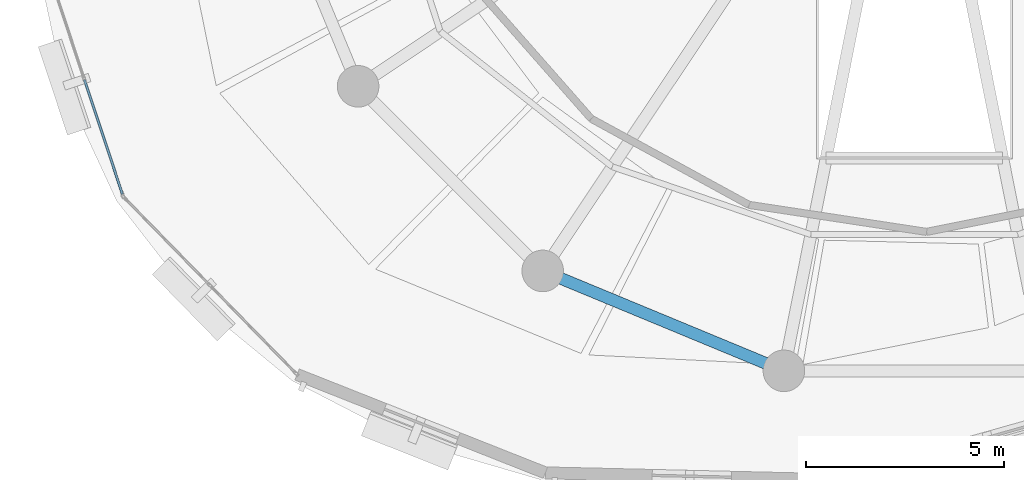
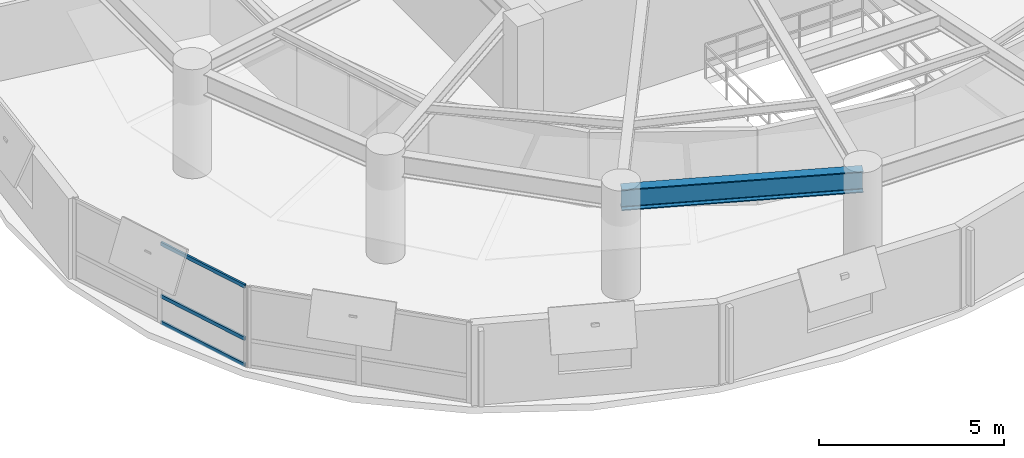
# One storey, part 3 of 15: 3 members, 1 beam, 1 element without a shape of its own.
"""IFC4 building model written with IfcOpenShell, lengths in metres."""

from ifc_helpers import new_model, si_unit, direction, frame, origin, origin_2d, place, context, subcontext, project, spatial, hollow_rectangle, i_section, extrude, material, layer, layer_set, material_profile, profile_set, type_object, element, aggregate, save


model = new_model("IFC4")

# Units and contexts
model_context = context("Model", 3, precision=1e-05, world=origin(), true_north=direction((0.0, 1.0)))
body_context = subcontext(model_context, "Body", "Model", "MODEL_VIEW")
ifc_project = project(units=[si_unit("LENGTHUNIT", "METRE"), si_unit("AREAUNIT", "SQUARE_METRE"), si_unit("VOLUMEUNIT", "CUBIC_METRE"), si_unit("PLANEANGLEUNIT", "RADIAN"), si_unit("MASSUNIT", "GRAM", prefix="KILO"), si_unit("THERMODYNAMICTEMPERATUREUNIT", "KELVIN"), si_unit("POWERUNIT", "WATT")], contexts=[model_context])

# Site, building, storey
site_placement = place(None, origin())
site = spatial("IfcSite", under=ifc_project, at=site_placement, CompositionType="ELEMENT")
building_placement = place(site_placement, origin())
building = spatial("IfcBuilding", under=site, at=building_placement, Name="Ocrelia Relay Tower", CompositionType="ELEMENT")
storey_placement = place(building_placement, frame((0.0, 0.0, 166.39990234375)))
storey = spatial("IfcBuildingStorey", under=building, at=storey_placement, Name="L39", CompositionType="ELEMENT", Elevation=166.39990234375)

# Beam
ifc_material_1 = material(Name="Steel S355", Category="steel")
ifc_material_profile_1 = material_profile(ifc_material_1, i_section(OverallWidth=0.300048828125, OverallDepth=0.699951171875, WebThickness=0.01708984375, FlangeThickness=0.031982421875, FilletRadius=0.027099609375, at=origin_2d()), Name="HEB 700")
ifc_profile_set_1 = profile_set([ifc_material_profile_1], Name="Steel S355")
beam_type = type_object("IfcBeamType", Name="BM-HEB700", PredefinedType="BEAM", material=ifc_profile_set_1)
beam_placement = place(storey_placement, frame((24.61083984375, 11.9482421875, 3.030029296875), z_axis=(0.923877844151, -0.382687508402, 0.0), x_axis=(0.382687508402, 0.923877844151, 0.0)))
element("IfcBeam", 1, at=beam_placement, inside=storey, type_object=beam_type, Name="L39 Perimeter Spandrel Beam S11", PredefinedType="BEAM", context=body_context, shape_type="SweptSolid", body=[
    extrude(i_section(OverallWidth=0.300048828125, OverallDepth=0.699951171875, WebThickness=0.01708984375, FlangeThickness=0.031982421875, FilletRadius=0.027099609375, at=origin_2d()), origin(), (0.0, 0.0, 1.0), 6.593994140625),
])

# Curtain wall, members
ifc_material_2 = material(Name="Aluminium and solar-control low-E glass", Category="aluminium")
ifc_layer = layer(ifc_material_2, 0.179931640625, Name="Aluminium and solar-control low-E glass")
ifc_layer_set = layer_set([ifc_layer], Name="Aluminium and solar-control low-E glass")
curtain_wall_type = type_object("IfcCurtainWallType", Name="CW-SYS-Z3-CLOU", PredefinedType="NOTDEFINED", material=ifc_layer_set)
curtain_wall_placement = place(storey_placement, origin())
curtain_wall = element("IfcCurtainWall", 2, at=curtain_wall_placement, inside=storey, type_object=curtain_wall_type, Name="L39 Elliptical Tower Curtain Wall Bay 09", PredefinedType="NOTDEFINED")
ifc_material_3 = material(Name="Anodised bronze aluminium", Category="aluminium")
ifc_material_profile_2 = material_profile(ifc_material_3, hollow_rectangle(XDim=0.06005859375, YDim=0.1201171875, WallThickness=0.0048828125, at=origin_2d()), Name="CW-TRN-120x60")
ifc_profile_set_2 = profile_set([ifc_material_profile_2], Name="Anodised bronze aluminium")
member_type = type_object("IfcMemberType", Name="CW-SYS-Z3-CLOU-TRN", PredefinedType="USERDEFINED", material=ifc_profile_set_2)
member_1_placement = place(storey_placement, frame((13.03662109375, 16.7763671875, 0.030029296875), z_axis=(0.315120738332, -0.94905158989, 0.0), x_axis=(0.94905158989, 0.315120738332, 0.0)))
member_1 = element("IfcMember", 3, at=member_1_placement, type_object=member_type, Name="CW-Z3 transom 2.1", ObjectType="TRANSOM", PredefinedType="USERDEFINED", context=body_context, shape_type="SweptSolid", body=[
    extrude(hollow_rectangle(XDim=0.06005859375, YDim=0.1201171875, WallThickness=0.0048828125, at=origin_2d()), origin(), (0.0, 0.0, 1.0), 3.0439453125),
])
member_2_placement = place(storey_placement, frame((13.03662109375, 16.7763671875, 0.900146484375), z_axis=(0.315120738332, -0.94905158989, 0.0), x_axis=(0.94905158989, 0.315120738332, 0.0)))
member_2 = element("IfcMember", 4, at=member_2_placement, type_object=member_type, Name="CW-Z3 transom 2.2", ObjectType="TRANSOM", PredefinedType="USERDEFINED", context=body_context, shape_type="SweptSolid", body=[
    extrude(hollow_rectangle(XDim=0.06005859375, YDim=0.1201171875, WallThickness=0.0048828125, at=origin_2d()), origin(), (0.0, 0.0, 1.0), 3.0439453125),
])
member_3_placement = place(storey_placement, frame((13.03662109375, 16.7763671875, 2.630126953125), z_axis=(0.315120738332, -0.94905158989, 0.0), x_axis=(0.94905158989, 0.315120738332, 0.0)))
member_3 = element("IfcMember", 5, at=member_3_placement, type_object=member_type, Name="CW-Z3 transom 2.3", ObjectType="TRANSOM", PredefinedType="USERDEFINED", context=body_context, shape_type="SweptSolid", body=[
    extrude(hollow_rectangle(XDim=0.06005859375, YDim=0.1201171875, WallThickness=0.0048828125, at=origin_2d()), origin(), (0.0, 0.0, 1.0), 3.0439453125),
])
aggregate(curtain_wall, [member_1, member_2, member_3])

save(model, "model.ifc")
